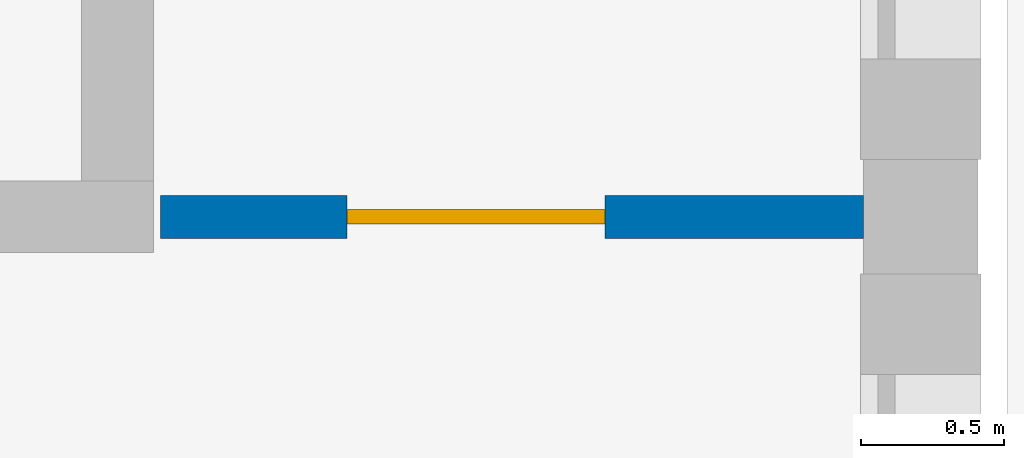
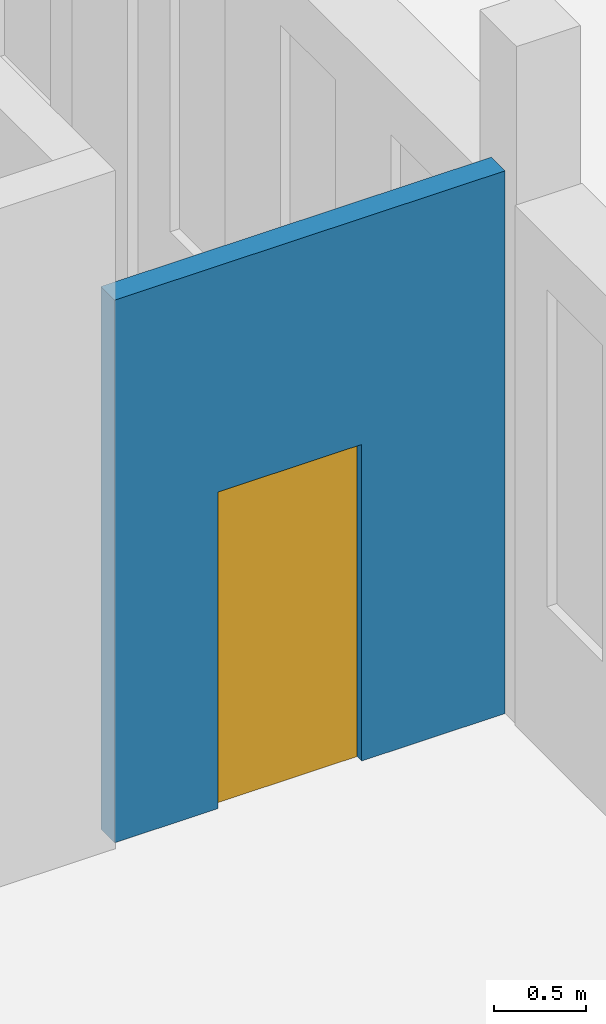
# One storey, part 84 of 101: 1 door, 1 wall, 1 opening.
"""IFC4 building model written with IfcOpenShell, lengths in metres."""

from ifc_helpers import new_model, si_unit, direction, frame, frame_2d, origin, place, context, subcontext, project, spatial, rectangle, extrude, material, layer, layer_set, type_object, element, fill, save


model = new_model("IFC4")

# Units and contexts
model_context = context("Model", 3, precision=1e-05, world=origin(), true_north=direction((0.0, 1.0)))
body_context = subcontext(model_context, "Body", "Model", "MODEL_VIEW")
ifc_project = project(units=[si_unit("LENGTHUNIT", "METRE"), si_unit("AREAUNIT", "SQUARE_METRE"), si_unit("VOLUMEUNIT", "CUBIC_METRE"), si_unit("PLANEANGLEUNIT", "RADIAN"), si_unit("MASSUNIT", "GRAM", prefix="KILO")], contexts=[model_context])

# Site, building, storey
site_placement = place(None, origin())
site = spatial("IfcSite", under=ifc_project, at=site_placement, CompositionType="ELEMENT")
building_placement = place(site_placement, origin())
building = spatial("IfcBuilding", under=site, at=building_placement, Name="Fescue Hill Polytechnic", CompositionType="ELEMENT")
storey_placement = place(building_placement, frame((0.0, 0.0, 9.0)))
storey = spatial("IfcBuildingStorey", under=building, at=storey_placement, Name="L02", CompositionType="ELEMENT", Elevation=9.0)

# Wall, opening, door
ifc_material_1 = material(Name="Gypsum board partition")
ifc_layer = layer(ifc_material_1, 0.14990234375)
ifc_layer_set = layer_set([ifc_layer], Name="Gypsum board partition")
wall_type = type_object("IfcWallType", Name="Lobby wall 150 EI 60", PredefinedType="PARTITIONING", material=ifc_layer_set)
wall_placement = place(storey_placement, frame((114.949951171875, 126.0, 0.0), z_axis=(0.0, 0.0, 1.0), x_axis=(1.0, 0.0, 0.0)))
wall = element("IfcWall", 1, at=wall_placement, inside=storey, type_object=wall_type, Name="IW-L02-071", PredefinedType="PARTITIONING", context=body_context, shape_type="SweptSolid", body=[
    extrude(rectangle(XDim=2.449951171875, YDim=0.14990234375, at=frame_2d((1.22509765625, 0.0))), origin(), (0.0, 0.0, 1.0), 3.60009765625),
])
opening_placement = place(wall_placement, frame((0.64990234375, 0.0, 0.0)))
opening = element("IfcOpeningElement", 2, at=opening_placement, cuts=wall, Name="Opening D2063", PredefinedType="OPENING", context=body_context, shape_type="SweptSolid", body=[
    extrude(rectangle(XDim=0.89990234375, YDim=2.10009765625, at=frame_2d((0.449951171875, 1.050048828125))), frame((0.0, 0.0849609375, 0.0), z_axis=(0.0, -1.0, 0.0), x_axis=(1.0, 0.0, 0.0)), (0.0, 0.0, 1.0), 0.169921875),
])
ifc_material_2 = material(Name="Steel", Category="steel")
door_type = type_object("IfcDoorType", Name="Door single swing 900x2100 FD60", OperationType="SINGLE_SWING_LEFT", PredefinedType="DOOR", material=ifc_material_2)
door_placement = place(opening_placement, origin())
door = element("IfcDoor", 3, at=door_placement, inside=storey, type_object=door_type, Name="Door D2063", OperationType="SINGLE_SWING_LEFT", OverallHeight=2.10009765625, OverallWidth=0.89990234375, PredefinedType="DOOR", context=body_context, shape_type="SweptSolid", body=[
    extrude(rectangle(XDim=0.89990234375, YDim=2.10009765625, at=frame_2d((0.449951171875, 1.050048828125))), frame((0.0, 0.02490234375, 0.0), z_axis=(0.0, -1.0, 0.0), x_axis=(1.0, 0.0, 0.0)), (0.0, 0.0, 1.0), 0.050048828125),
])
fill(opening, door)

save(model, "model.ifc")
